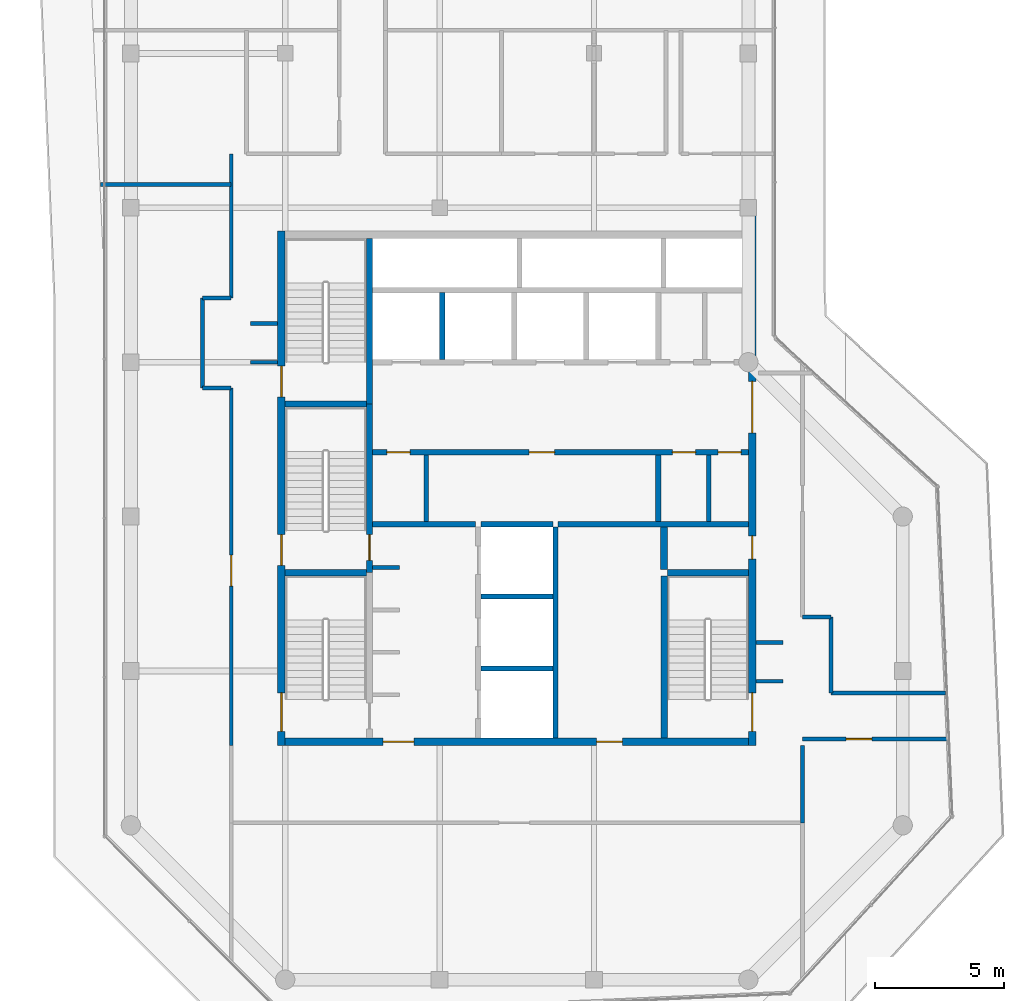
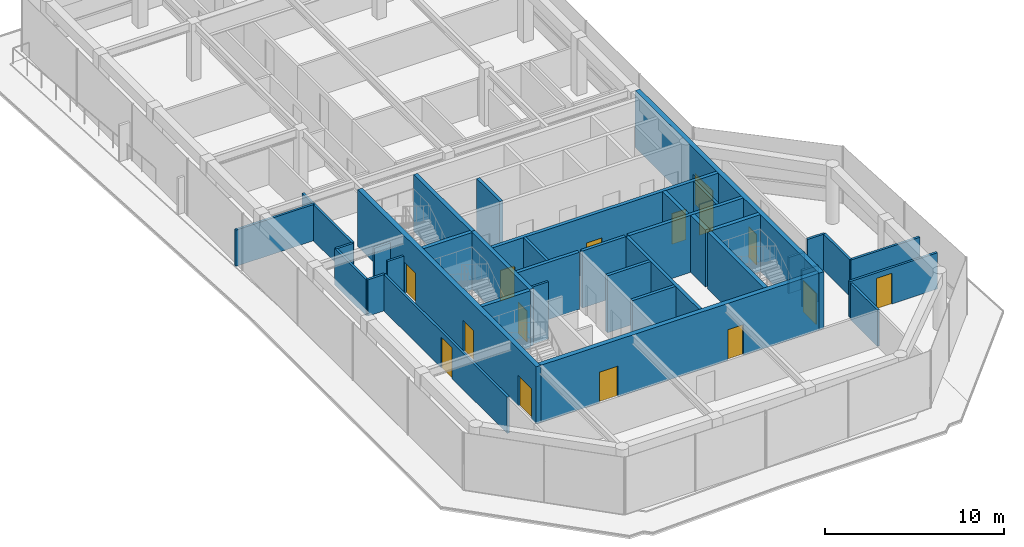
# One storey, part 15 of 19: 37 walls, 15 doors, 15 openings.
"""IFC4 building model written with IfcOpenShell, lengths in metres."""

from ifc_helpers import new_model, si_unit, direction, frame, frame_2d, origin, place, context, subcontext, project, spatial, rectangle, extrude, material, layer, layer_set, type_object, element, fill, save


model = new_model("IFC4")

# Units and contexts
model_context = context("Model", 3, precision=1e-05, world=origin(), true_north=direction((0.0, 1.0)))
body_context = subcontext(model_context, "Body", "Model", "MODEL_VIEW")
ifc_project = project(units=[si_unit("LENGTHUNIT", "METRE"), si_unit("AREAUNIT", "SQUARE_METRE"), si_unit("VOLUMEUNIT", "CUBIC_METRE"), si_unit("PLANEANGLEUNIT", "RADIAN"), si_unit("MASSUNIT", "GRAM", prefix="KILO")], contexts=[model_context])

# Site, building, storey
site_placement = place(None, origin())
site = spatial("IfcSite", under=ifc_project, at=site_placement, CompositionType="ELEMENT")
building_placement = place(site_placement, origin())
building = spatial("IfcBuilding", under=site, at=building_placement, Name="Welwitschia Terrace Campus", CompositionType="ELEMENT")
storey_placement = place(building_placement, frame((0.0, 0.0, 323.0)))
storey = spatial("IfcBuildingStorey", under=building, at=storey_placement, Name="L72", CompositionType="ELEMENT", Elevation=323.0)

# Walls
ifc_material_1 = material(Name="Concrete C32/40", Category="concrete")
ifc_layer_1 = layer(ifc_material_1, 0.175048828125)
ifc_layer_set_1 = layer_set([ifc_layer_1], Name="Concrete C32/40")
wall_type_1 = type_object("IfcWallType", Name="Core partition 175 Concrete C32/40", PredefinedType="PARTITIONING", material=ifc_layer_set_1)
for number, where, z_axis, x_axis, name in (
    (1, (11.47509765625, 13.800048828125, 0.0), (0.0, 0.0, 1.0), (0.0, 1.0, 0.0), "Core partition"),
    (2, (22.469970703125, 13.800048828125, 0.0), (0.0, 0.0, 1.0), (0.0, 1.0, 0.0), "Core partition"),
):
    element("IfcWall", number, at=place(storey_placement, frame(where, z_axis=z_axis, x_axis=x_axis)), inside=storey, type_object=wall_type_1, Name=name, PredefinedType="PARTITIONING", context=body_context, shape_type="SweptSolid", body=[
        extrude(rectangle(XDim=2.599853515625, YDim=0.175048828125, at=frame_2d((1.2998046875, 0.0))), origin(), (0.0, 0.0, 1.0), 3.89990234375),
    ])
ifc_material_2 = material(Name="Concrete C32/40", Category="concrete")
ifc_layer_2 = layer(ifc_material_2, 0.22509765625)
ifc_layer_set_2 = layer_set([ifc_layer_2], Name="Concrete C32/40")
wall_type_2 = type_object("IfcWallType", Name="Core partition 225 Concrete C32/40", PredefinedType="PARTITIONING", material=ifc_layer_set_2)
wall_1_placement = place(storey_placement, frame((9.39990234375, 13.699951171875, 0.0), z_axis=(0.0, 0.0, 1.0), x_axis=(1.0, 0.0, 0.0)))
element("IfcWall", 3, at=wall_1_placement, inside=storey, type_object=wall_type_2, Name="Core partition", PredefinedType="PARTITIONING", context=body_context, shape_type="SweptSolid", body=[
    extrude(rectangle(XDim=4.0, YDim=0.22509765625, at=frame_2d((2.0, 0.0))), origin(), (0.0, 0.0, 1.0), 3.89990234375),
])
wall_2_placement = place(storey_placement, frame((16.60009765625, 13.699951171875, 0.0), z_axis=(0.0, 0.0, 1.0), x_axis=(1.0, 0.0, 0.0)))
element("IfcWall", 4, at=wall_2_placement, inside=storey, type_object=wall_type_2, Name="Core partition", PredefinedType="PARTITIONING", context=body_context, shape_type="SweptSolid", body=[
    extrude(rectangle(XDim=7.39990234375, YDim=0.22509765625, at=frame_2d((3.699951171875, 0.0))), origin(), (0.0, 0.0, 1.0), 3.89990234375),
])

# Wall, openings, doors
wall_3_placement = place(storey_placement, frame((9.39990234375, 16.5, 0.0), z_axis=(0.0, 0.0, 1.0), x_axis=(1.0, 0.0, 0.0)))
wall_3 = element("IfcWall", 5, at=wall_3_placement, inside=storey, type_object=wall_type_2, Name="Core partition", PredefinedType="PARTITIONING", context=body_context, shape_type="SweptSolid", body=[
    extrude(rectangle(XDim=14.60009765625, YDim=0.22509765625, at=frame_2d((7.300048828125, 0.0))), origin(), (0.0, 0.0, 1.0), 3.89990234375),
])
opening_1_placement = place(wall_3_placement, frame((0.550048828125, 0.0, 0.0)))
opening_1 = element("IfcOpeningElement", 6, at=opening_1_placement, cuts=wall_3, Name="Opening DR09", PredefinedType="OPENING", context=body_context, shape_type="SweptSolid", body=[
    extrude(rectangle(XDim=0.89990234375, YDim=2.10009765625, at=frame_2d((0.449951171875, 1.050048828125))), frame((0.0, 0.12255859375, 0.0), z_axis=(0.0, -1.0, 0.0), x_axis=(1.0, 0.0, 0.0)), (0.0, 0.0, 1.0), 0.2451171875),
])
opening_2_placement = place(wall_3_placement, frame((6.074951171875, 0.0, 0.0)))
opening_2 = element("IfcOpeningElement", 7, at=opening_2_placement, cuts=wall_3, Name="Opening DR10", PredefinedType="OPENING", context=body_context, shape_type="SweptSolid", body=[
    extrude(rectangle(XDim=1.0, YDim=2.10009765625, at=frame_2d((0.5, 1.050048828125))), frame((0.0, 0.12255859375, 0.0), z_axis=(0.0, -1.0, 0.0), x_axis=(1.0, 0.0, 0.0)), (0.0, 0.0, 1.0), 0.2451171875),
])
opening_3_placement = place(wall_3_placement, frame((11.6474609375, 0.0, 0.0)))
opening_3 = element("IfcOpeningElement", 8, at=opening_3_placement, cuts=wall_3, Name="Opening DR09", PredefinedType="OPENING", context=body_context, shape_type="SweptSolid", body=[
    extrude(rectangle(XDim=0.89990234375, YDim=2.10009765625, at=frame_2d((0.449951171875, 1.050048828125))), frame((0.0, 0.12255859375, 0.0), z_axis=(0.0, -1.0, 0.0), x_axis=(1.0, 0.0, 0.0)), (0.0, 0.0, 1.0), 0.2451171875),
])
opening_4_placement = place(wall_3_placement, frame((13.422607421875, 0.0, 0.0)))
opening_4 = element("IfcOpeningElement", 9, at=opening_4_placement, cuts=wall_3, Name="Opening DR09", PredefinedType="OPENING", context=body_context, shape_type="SweptSolid", body=[
    extrude(rectangle(XDim=0.89990234375, YDim=2.10009765625, at=frame_2d((0.449951171875, 1.050048828125))), frame((0.0, 0.12255859375, 0.0), z_axis=(0.0, -1.0, 0.0), x_axis=(1.0, 0.0, 0.0)), (0.0, 0.0, 1.0), 0.2451171875),
])
ifc_material_3 = material(Name="Steel S275", Category="steel")
door_type_1 = type_object("IfcDoorType", Name="Core door DR09", OperationType="SINGLE_SWING_LEFT", PredefinedType="DOOR", material=ifc_material_3)
door_1_placement = place(opening_1_placement, origin())
door_1 = element("IfcDoor", 10, at=door_1_placement, inside=storey, type_object=door_type_1, Name="Door BAYL1-D", OperationType="SINGLE_SWING_LEFT", OverallHeight=2.10009765625, OverallWidth=0.89990234375, PredefinedType="DOOR", context=body_context, shape_type="SweptSolid", body=[
    extrude(rectangle(XDim=0.89990234375, YDim=2.10009765625, at=frame_2d((0.449951171875, 1.050048828125))), frame((0.0, 0.02490234375, 0.0), z_axis=(0.0, -1.0, 0.0), x_axis=(1.0, 0.0, 0.0)), (0.0, 0.0, 1.0), 0.050048828125),
])
fill(opening_1, door_1)
door_2_placement = place(opening_3_placement, origin())
door_2 = element("IfcDoor", 11, at=door_2_placement, inside=storey, type_object=door_type_1, Name="Door EL1-D", OperationType="SINGLE_SWING_RIGHT", OverallHeight=2.10009765625, OverallWidth=0.89990234375, PredefinedType="DOOR", context=body_context, shape_type="SweptSolid", body=[
    extrude(rectangle(XDim=0.89990234375, YDim=2.10009765625, at=frame_2d((0.449951171875, 1.050048828125))), frame((0.0, 0.02490234375, 0.0), z_axis=(0.0, -1.0, 0.0), x_axis=(1.0, 0.0, 0.0)), (0.0, 0.0, 1.0), 0.050048828125),
])
fill(opening_3, door_2)
door_3_placement = place(opening_4_placement, origin())
door_3 = element("IfcDoor", 12, at=door_3_placement, inside=storey, type_object=door_type_1, Name="Door EL2-D", OperationType="SINGLE_SWING_RIGHT", OverallHeight=2.10009765625, OverallWidth=0.89990234375, PredefinedType="DOOR", context=body_context, shape_type="SweptSolid", body=[
    extrude(rectangle(XDim=0.89990234375, YDim=2.10009765625, at=frame_2d((0.449951171875, 1.050048828125))), frame((0.0, 0.02490234375, 0.0), z_axis=(0.0, -1.0, 0.0), x_axis=(1.0, 0.0, 0.0)), (0.0, 0.0, 1.0), 0.050048828125),
])
fill(opening_4, door_3)
ifc_material_4 = material(Name="Steel S275", Category="steel")
door_type_2 = type_object("IfcDoorType", Name="Core door DR10", OperationType="SINGLE_SWING_LEFT", PredefinedType="DOOR", material=ifc_material_4)
door_4_placement = place(opening_2_placement, origin())
door_4 = element("IfcDoor", 13, at=door_4_placement, inside=storey, type_object=door_type_2, Name="Door BAYL2-D", OperationType="SINGLE_SWING_LEFT", OverallHeight=2.10009765625, OverallWidth=1.0, PredefinedType="DOOR", context=body_context, shape_type="SweptSolid", body=[
    extrude(rectangle(XDim=1.0, YDim=2.10009765625, at=frame_2d((0.5, 1.050048828125))), frame((0.0, 0.02490234375, 0.0), z_axis=(0.0, -1.0, 0.0), x_axis=(1.0, 0.0, 0.0)), (0.0, 0.0, 1.0), 0.050048828125),
])
fill(opening_2, door_4)

# Walls
wall_4_placement = place(storey_placement, frame((20.5, 13.800048828125, 0.0), z_axis=(0.0, 0.0, 1.0), x_axis=(0.0, 1.0, 0.0)))
element("IfcWall", 14, at=wall_4_placement, inside=storey, type_object=wall_type_2, Name="Core partition", PredefinedType="PARTITIONING", context=body_context, shape_type="SweptSolid", body=[
    extrude(rectangle(XDim=2.599853515625, YDim=0.22509765625, at=frame_2d((1.2998046875, 0.0))), origin(), (0.0, 0.0, 1.0), 3.89990234375),
])
ifc_material_5 = material(Name="Concrete C32/40", Category="concrete")
ifc_layer_3 = layer(ifc_material_5, 0.27490234375)
ifc_layer_set_3 = layer_set([ifc_layer_3], Name="Concrete C32/40")
wall_type_3 = type_object("IfcWallType", Name="Core partition 275 Concrete C32/40", PredefinedType="PARTITIONING", material=ifc_layer_set_3)
wall_5_placement = place(storey_placement, frame((20.72509765625, 11.949951171875, 0.0), z_axis=(0.0, 0.0, 1.0), x_axis=(0.0, 1.0, 0.0)))
element("IfcWall", 15, at=wall_5_placement, inside=storey, type_object=wall_type_3, Name="Core partition", PredefinedType="PARTITIONING", context=body_context, shape_type="SweptSolid", body=[
    extrude(rectangle(XDim=1.650146484375, YDim=0.27490234375, at=frame_2d((0.8251953125, 0.0))), origin(), (0.0, 0.0, 1.0), 3.89990234375),
])
ifc_material_6 = material(Name="Concrete C50/60", Category="concrete")
ifc_layer_4 = layer(ifc_material_6, 0.14990234375)
ifc_layer_set_4 = layer_set([ifc_layer_4], Name="Concrete C50/60")
wall_type_4 = type_object("IfcWallType", Name="Core wall 150 Concrete C50/60", PredefinedType="SHEAR", material=ifc_layer_set_4)
wall_6_placement = place(storey_placement, frame((9.39990234375, 12.02490234375, 0.0), z_axis=(0.0, 0.0, 1.0), x_axis=(1.0, 0.0, 0.0)))
element("IfcWall", 16, at=wall_6_placement, inside=storey, type_object=wall_type_4, Name="Core wall", PredefinedType="SHEAR", context=body_context, shape_type="SweptSolid", body=[
    extrude(rectangle(XDim=1.050048828125, YDim=0.14990234375, at=frame_2d((0.52490234375, 0.0))), origin(), (0.0, 0.0, 1.0), 3.89990234375),
])
ifc_material_7 = material(Name="Concrete C50/60", Category="concrete")
ifc_layer_5 = layer(ifc_material_7, 0.199951171875)
ifc_layer_set_5 = layer_set([ifc_layer_5], Name="Concrete C50/60")
wall_type_5 = type_object("IfcWallType", Name="Core wall 200 Concrete C50/60", PredefinedType="SHEAR", material=ifc_layer_set_5)
for number, where, z_axis, x_axis, name in (
    (17, (13.60009765625, 8.10009765625, 0.0), (0.0, 0.0, 1.0), (1.0, 0.0, 0.0), "Core wall"),
    (18, (13.60009765625, 10.89990234375, 0.0), (0.0, 0.0, 1.0), (1.0, 0.0, 0.0), "Core wall"),
    (19, (13.60009765625, 13.699951171875, 0.0), (0.0, 0.0, 1.0), (1.0, 0.0, 0.0), "Core wall"),
):
    element("IfcWall", number, at=place(storey_placement, frame(where, z_axis=z_axis, x_axis=x_axis)), inside=storey, type_object=wall_type_5, Name=name, PredefinedType="SHEAR", context=body_context, shape_type="SweptSolid", body=[
        extrude(rectangle(XDim=2.7998046875, YDim=0.199951171875, at=frame_2d((1.39990234375, 0.0))), origin(), (0.0, 0.0, 1.0), 3.89990234375),
    ])
wall_7_placement = place(storey_placement, frame((16.5, 5.39990234375, 0.0), z_axis=(0.0, 0.0, 1.0), x_axis=(0.0, 1.0, 0.0)))
element("IfcWall", 20, at=wall_7_placement, inside=storey, type_object=wall_type_5, Name="Core wall", PredefinedType="SHEAR", context=body_context, shape_type="SweptSolid", body=[
    extrude(rectangle(XDim=8.2001953125, YDim=0.199951171875, at=frame_2d((4.10009765625, 0.0))), origin(), (0.0, 0.0, 1.0), 3.89990234375),
])
ifc_material_8 = material(Name="Concrete C50/60", Category="concrete")
ifc_layer_6 = layer(ifc_material_8, 0.25)
ifc_layer_set_6 = layer_set([ifc_layer_6], Name="Concrete C50/60")
wall_type_6 = type_object("IfcWallType", Name="Core wall 250 Concrete C50/60", PredefinedType="SHEAR", material=ifc_layer_set_6)
for number, where, z_axis, x_axis, name in (
    (21, (6.0, 11.824951171875, 0.0), (0.0, 0.0, 1.0), (1.0, 0.0, 0.0), "Core wall"),
    (22, (20.85009765625, 11.824951171875, 0.0), (0.0, 0.0, 1.0), (1.0, 0.0, 0.0), "Core wall"),
    (23, (6.0, 18.375, 0.0), (0.0, 0.0, 1.0), (1.0, 0.0, 0.0), "Core wall"),
):
    element("IfcWall", number, at=place(storey_placement, frame(where, z_axis=z_axis, x_axis=x_axis)), inside=storey, type_object=wall_type_6, Name=name, PredefinedType="SHEAR", context=body_context, shape_type="SweptSolid", body=[
        extrude(rectangle(XDim=3.14990234375, YDim=0.25, at=frame_2d((1.574951171875, 0.0))), origin(), (0.0, 0.0, 1.0), 3.89990234375),
    ])

# Wall, opening, door
wall_8_placement = place(storey_placement, frame((9.27490234375, 18.375, 0.0), z_axis=(0.0, 0.0, 1.0), x_axis=(0.0, -1.0, 0.0)))
wall_8 = element("IfcWall", 24, at=wall_8_placement, inside=storey, type_object=wall_type_6, Name="Core wall", PredefinedType="SHEAR", context=body_context, shape_type="SweptSolid", body=[
    extrude(rectangle(XDim=6.550048828125, YDim=0.25, at=frame_2d((3.27490234375, 0.0))), origin(), (0.0, 0.0, 1.0), 3.89990234375),
])
opening_5_placement = place(wall_8_placement, frame((5.074951171875, 0.0, 0.0)))
opening_5 = element("IfcOpeningElement", 25, at=opening_5_placement, cuts=wall_8, Name="Opening DS10", PredefinedType="OPENING", context=body_context, shape_type="SweptSolid", body=[
    extrude(rectangle(XDim=1.0, YDim=2.10009765625, at=frame_2d((0.5, 1.050048828125))), frame((0.0, 0.135009765625, 0.0), z_axis=(0.0, -1.0, 0.0), x_axis=(1.0, 0.0, 0.0)), (0.0, 0.0, 1.0), 0.27001953125),
])
ifc_material_9 = material(Name="Steel S275", Category="steel")
door_type_3 = type_object("IfcDoorType", Name="Core door DS10", OperationType="SINGLE_SWING_LEFT", PredefinedType="DOOR", material=ifc_material_9)
door_5_placement = place(opening_5_placement, origin())
door_5 = element("IfcDoor", 26, at=door_5_placement, inside=storey, type_object=door_type_3, Name="Door S3-FL", OperationType="SINGLE_SWING_RIGHT", OverallHeight=2.10009765625, OverallWidth=1.0, PredefinedType="DOOR", context=body_context, shape_type="SweptSolid", body=[
    extrude(rectangle(XDim=1.0, YDim=2.10009765625, at=frame_2d((0.5, 1.050048828125))), frame((0.0, 0.02490234375, 0.0), z_axis=(0.0, -1.0, 0.0), x_axis=(1.0, 0.0, 0.0)), (0.0, 0.0, 1.0), 0.050048828125),
])
fill(opening_5, door_5)

# Walls
wall_9_placement = place(storey_placement, frame((9.27490234375, 18.375, 0.0), z_axis=(0.0, 0.0, 1.0), x_axis=(0.0, 1.0, 0.0)))
element("IfcWall", 27, at=wall_9_placement, inside=storey, type_object=wall_type_6, Name="Core wall", PredefinedType="SHEAR", context=body_context, shape_type="SweptSolid", body=[
    extrude(rectangle(XDim=6.425048828125, YDim=0.25, at=frame_2d((3.21240234375, 0.0))), origin(), (0.0, 0.0, 1.0), 3.89990234375),
])
wall_10_placement = place(storey_placement, frame((20.72509765625, 5.39990234375, 0.0), z_axis=(0.0, 0.0, 1.0), x_axis=(0.0, 1.0, 0.0)))
element("IfcWall", 28, at=wall_10_placement, inside=storey, type_object=wall_type_6, Name="Core wall", PredefinedType="SHEAR", context=body_context, shape_type="SweptSolid", body=[
    extrude(rectangle(XDim=6.300048828125, YDim=0.25, at=frame_2d((3.14990234375, 0.0))), origin(), (0.0, 0.0, 1.0), 3.89990234375),
])

# Wall, openings, doors
ifc_material_10 = material(Name="Concrete C50/60", Category="concrete")
ifc_layer_7 = layer(ifc_material_10, 0.300048828125)
ifc_layer_set_7 = layer_set([ifc_layer_7], Name="Concrete C50/60")
wall_type_7 = type_object("IfcWallType", Name="Core wall 300 Concrete C50/60", PredefinedType="SHEAR", material=ifc_layer_set_7)
wall_11_placement = place(storey_placement, frame((5.85009765625, 5.10009765625, 0.0), z_axis=(0.0, 0.0, 1.0), x_axis=(0.0, 1.0, 0.0)))
wall_11 = element("IfcWall", 29, at=wall_11_placement, inside=storey, type_object=wall_type_7, Name="Core outer wall", PredefinedType="SHEAR", context=body_context, shape_type="SweptSolid", body=[
    extrude(rectangle(XDim=20.0, YDim=0.300048828125, at=frame_2d((10.0, 0.0))), origin(), (0.0, 0.0, 1.0), 3.89990234375),
])
opening_6_placement = place(wall_11_placement, frame((0.550048828125, 0.0, 0.0)))
opening_6 = element("IfcOpeningElement", 30, at=opening_6_placement, cuts=wall_11, Name="Opening DS15", PredefinedType="OPENING", context=body_context, shape_type="SweptSolid", body=[
    extrude(rectangle(XDim=1.5, YDim=2.10009765625, at=frame_2d((0.75, 1.050048828125))), frame((0.0, 0.159912109375, 0.0), z_axis=(0.0, -1.0, 0.0), x_axis=(1.0, 0.0, 0.0)), (0.0, 0.0, 1.0), 0.320068359375),
])
opening_7_placement = place(wall_11_placement, frame((7.0, 0.0, 0.0)))
opening_7 = element("IfcOpeningElement", 31, at=opening_7_placement, cuts=wall_11, Name="Opening DS12", PredefinedType="OPENING", context=body_context, shape_type="SweptSolid", body=[
    extrude(rectangle(XDim=1.199951171875, YDim=2.10009765625, at=frame_2d((0.60009765625, 1.050048828125))), frame((0.0, 0.159912109375, 0.0), z_axis=(0.0, -1.0, 0.0), x_axis=(1.0, 0.0, 0.0)), (0.0, 0.0, 1.0), 0.320068359375),
])
opening_8_placement = place(wall_11_placement, frame((13.550048828125, 0.0, 0.0)))
opening_8 = element("IfcOpeningElement", 32, at=opening_8_placement, cuts=wall_11, Name="Opening DS12", PredefinedType="OPENING", context=body_context, shape_type="SweptSolid", body=[
    extrude(rectangle(XDim=1.199951171875, YDim=2.10009765625, at=frame_2d((0.60009765625, 1.050048828125))), frame((0.0, 0.159912109375, 0.0), z_axis=(0.0, -1.0, 0.0), x_axis=(1.0, 0.0, 0.0)), (0.0, 0.0, 1.0), 0.320068359375),
])
ifc_material_11 = material(Name="Steel S275", Category="steel")
door_type_4 = type_object("IfcDoorType", Name="Core door DS12", OperationType="SINGLE_SWING_LEFT", PredefinedType="DOOR", material=ifc_material_11)
door_6_placement = place(opening_7_placement, origin())
door_6 = element("IfcDoor", 33, at=door_6_placement, inside=storey, type_object=door_type_4, Name="Door S3-out", OperationType="SINGLE_SWING_LEFT", OverallHeight=2.10009765625, OverallWidth=1.199951171875, PredefinedType="DOOR", context=body_context, shape_type="SweptSolid", body=[
    extrude(rectangle(XDim=1.199951171875, YDim=2.10009765625, at=frame_2d((0.60009765625, 1.050048828125))), frame((0.0, 0.02490234375, 0.0), z_axis=(0.0, -1.0, 0.0), x_axis=(1.0, 0.0, 0.0)), (0.0, 0.0, 1.0), 0.050048828125),
])
fill(opening_7, door_6)
door_7_placement = place(opening_8_placement, origin())
door_7 = element("IfcDoor", 34, at=door_7_placement, inside=storey, type_object=door_type_4, Name="Door S4-out", OperationType="SINGLE_SWING_RIGHT", OverallHeight=2.10009765625, OverallWidth=1.199951171875, PredefinedType="DOOR", context=body_context, shape_type="SweptSolid", body=[
    extrude(rectangle(XDim=1.199951171875, YDim=2.10009765625, at=frame_2d((0.60009765625, 1.050048828125))), frame((0.0, 0.02490234375, 0.0), z_axis=(0.0, -1.0, 0.0), x_axis=(1.0, 0.0, 0.0)), (0.0, 0.0, 1.0), 0.050048828125),
])
fill(opening_8, door_7)
ifc_material_12 = material(Name="Steel S275", Category="steel")
door_type_5 = type_object("IfcDoorType", Name="Core door DS15", OperationType="DOUBLE_DOOR_SINGLE_SWING", PredefinedType="DOOR", material=ifc_material_12)
door_8_placement = place(opening_6_placement, origin())
door_8 = element("IfcDoor", 35, at=door_8_placement, inside=storey, type_object=door_type_5, Name="Door S1-out", OperationType="DOUBLE_DOOR_SINGLE_SWING", OverallHeight=2.10009765625, OverallWidth=1.5, PredefinedType="DOOR", context=body_context, shape_type="SweptSolid", body=[
    extrude(rectangle(XDim=1.5, YDim=2.10009765625, at=frame_2d((0.75, 1.050048828125))), frame((0.0, 0.02490234375, 0.0), z_axis=(0.0, -1.0, 0.0), x_axis=(1.0, 0.0, 0.0)), (0.0, 0.0, 1.0), 0.050048828125),
])
fill(opening_6, door_8)

wall_12_placement = place(storey_placement, frame((24.14990234375, 25.705078125, 0.0), z_axis=(0.0, 0.0, 1.0), x_axis=(0.0, -1.0, 0.0)))
wall_12 = element("IfcWall", 36, at=wall_12_placement, inside=storey, type_object=wall_type_7, Name="Core outer wall", PredefinedType="SHEAR", context=body_context, shape_type="SweptSolid", body=[
    extrude(rectangle(XDim=20.60498046875, YDim=0.300048828125, at=frame_2d((10.302490234375, 0.0))), origin(), (0.0, 0.0, 1.0), 3.89990234375),
])
opening_9_placement = place(wall_12_placement, frame((18.554931640625, 0.0, 0.0)))
opening_9 = element("IfcOpeningElement", 37, at=opening_9_placement, cuts=wall_12, Name="Opening DS15", PredefinedType="OPENING", context=body_context, shape_type="SweptSolid", body=[
    extrude(rectangle(XDim=1.5, YDim=2.10009765625, at=frame_2d((0.75, 1.050048828125))), frame((0.0, 0.159912109375, 0.0), z_axis=(0.0, -1.0, 0.0), x_axis=(1.0, 0.0, 0.0)), (0.0, 0.0, 1.0), 0.320068359375),
])
opening_10_placement = place(wall_12_placement, frame((12.455078125, 0.0, 0.0)))
opening_10 = element("IfcOpeningElement", 38, at=opening_10_placement, cuts=wall_12, Name="Opening DR09", PredefinedType="OPENING", context=body_context, shape_type="SweptSolid", body=[
    extrude(rectangle(XDim=0.89990234375, YDim=2.10009765625, at=frame_2d((0.449951171875, 1.050048828125))), frame((0.0, 0.159912109375, 0.0), z_axis=(0.0, -1.0, 0.0), x_axis=(1.0, 0.0, 0.0)), (0.0, 0.0, 1.0), 0.320068359375),
])
opening_11_placement = place(wall_12_placement, frame((6.455078125, 0.0, 0.0)))
opening_11 = element("IfcOpeningElement", 39, at=opening_11_placement, cuts=wall_12, Name="Opening DL20", PredefinedType="OPENING", context=body_context, shape_type="SweptSolid", body=[
    extrude(rectangle(XDim=2.0, YDim=2.10009765625, at=frame_2d((1.0, 1.050048828125))), frame((0.0, 0.159912109375, 0.0), z_axis=(0.0, -1.0, 0.0), x_axis=(1.0, 0.0, 0.0)), (0.0, 0.0, 1.0), 0.320068359375),
])
ifc_material_13 = material(Name="Steel S275", Category="steel")
door_type_6 = type_object("IfcDoorType", Name="Core door DL20", OperationType="DOUBLE_DOOR_SINGLE_SWING", PredefinedType="DOOR", material=ifc_material_13)
door_9_placement = place(opening_11_placement, origin())
door_9 = element("IfcDoor", 40, at=door_9_placement, inside=storey, type_object=door_type_6, Name="Door LOBBY-out", OperationType="DOUBLE_DOOR_SINGLE_SWING", OverallHeight=2.10009765625, OverallWidth=2.0, PredefinedType="DOOR", context=body_context, shape_type="SweptSolid", body=[
    extrude(rectangle(XDim=2.0, YDim=2.10009765625, at=frame_2d((1.0, 1.050048828125))), frame((0.0, 0.02490234375, 0.0), z_axis=(0.0, -1.0, 0.0), x_axis=(1.0, 0.0, 0.0)), (0.0, 0.0, 1.0), 0.050048828125),
])
fill(opening_11, door_9)
door_10_placement = place(opening_10_placement, origin())
door_10 = element("IfcDoor", 41, at=door_10_placement, inside=storey, type_object=door_type_1, Name="Door F1B-out", OperationType="SINGLE_SWING_RIGHT", OverallHeight=2.10009765625, OverallWidth=0.89990234375, PredefinedType="DOOR", context=body_context, shape_type="SweptSolid", body=[
    extrude(rectangle(XDim=0.89990234375, YDim=2.10009765625, at=frame_2d((0.449951171875, 1.050048828125))), frame((0.0, 0.02490234375, 0.0), z_axis=(0.0, -1.0, 0.0), x_axis=(1.0, 0.0, 0.0)), (0.0, 0.0, 1.0), 0.050048828125),
])
fill(opening_10, door_10)
door_11_placement = place(opening_9_placement, origin())
door_11 = element("IfcDoor", 42, at=door_11_placement, inside=storey, type_object=door_type_5, Name="Door S2-out", OperationType="DOUBLE_DOOR_SINGLE_SWING", OverallHeight=2.10009765625, OverallWidth=1.5, PredefinedType="DOOR", context=body_context, shape_type="SweptSolid", body=[
    extrude(rectangle(XDim=1.5, YDim=2.10009765625, at=frame_2d((0.75, 1.050048828125))), frame((0.0, 0.02490234375, 0.0), z_axis=(0.0, -1.0, 0.0), x_axis=(1.0, 0.0, 0.0)), (0.0, 0.0, 1.0), 0.050048828125),
])
fill(opening_9, door_11)

wall_13_placement = place(storey_placement, frame((24.0, 5.25, 0.0), z_axis=(0.0, 0.0, 1.0), x_axis=(-1.0, 0.0, 0.0)))
wall_13 = element("IfcWall", 43, at=wall_13_placement, inside=storey, type_object=wall_type_7, Name="Core outer wall", PredefinedType="SHEAR", context=body_context, shape_type="SweptSolid", body=[
    extrude(rectangle(XDim=18.0, YDim=0.300048828125, at=frame_2d((9.0, 0.0))), origin(), (0.0, 0.0, 1.0), 3.89990234375),
])
opening_12_placement = place(wall_13_placement, frame((13.0, 0.0, 0.0)))
opening_12 = element("IfcOpeningElement", 44, at=opening_12_placement, cuts=wall_13, Name="Opening DF12", PredefinedType="OPENING", context=body_context, shape_type="SweptSolid", body=[
    extrude(rectangle(XDim=1.199951171875, YDim=2.10009765625, at=frame_2d((0.60009765625, 1.050048828125))), frame((0.0, 0.159912109375, 0.0), z_axis=(0.0, -1.0, 0.0), x_axis=(1.0, 0.0, 0.0)), (0.0, 0.0, 1.0), 0.320068359375),
])
opening_13_placement = place(wall_13_placement, frame((4.89990234375, 0.0, 0.0)))
opening_13 = element("IfcOpeningElement", 45, at=opening_13_placement, cuts=wall_13, Name="Opening DR10", PredefinedType="OPENING", context=body_context, shape_type="SweptSolid", body=[
    extrude(rectangle(XDim=1.0, YDim=2.10009765625, at=frame_2d((0.5, 1.050048828125))), frame((0.0, 0.159912109375, 0.0), z_axis=(0.0, -1.0, 0.0), x_axis=(1.0, 0.0, 0.0)), (0.0, 0.0, 1.0), 0.320068359375),
])
ifc_material_14 = material(Name="Steel S275", Category="steel")
door_type_7 = type_object("IfcDoorType", Name="Core door DF12", OperationType="SINGLE_SWING_LEFT", PredefinedType="DOOR", material=ifc_material_14)
door_12_placement = place(opening_12_placement, origin())
door_12 = element("IfcDoor", 46, at=door_12_placement, inside=storey, type_object=door_type_7, Name="Door FL-out", OperationType="SINGLE_SWING_RIGHT", OverallHeight=2.10009765625, OverallWidth=1.199951171875, PredefinedType="DOOR", context=body_context, shape_type="SweptSolid", body=[
    extrude(rectangle(XDim=1.199951171875, YDim=2.10009765625, at=frame_2d((0.60009765625, 1.050048828125))), frame((0.0, 0.02490234375, 0.0), z_axis=(0.0, -1.0, 0.0), x_axis=(1.0, 0.0, 0.0)), (0.0, 0.0, 1.0), 0.050048828125),
])
fill(opening_12, door_12)
door_13_placement = place(opening_13_placement, origin())
door_13 = element("IfcDoor", 47, at=door_13_placement, inside=storey, type_object=door_type_2, Name="Door F1-out", OperationType="SINGLE_SWING_LEFT", OverallHeight=2.10009765625, OverallWidth=1.0, PredefinedType="DOOR", context=body_context, shape_type="SweptSolid", body=[
    extrude(rectangle(XDim=1.0, YDim=2.10009765625, at=frame_2d((0.5, 1.050048828125))), frame((0.0, 0.02490234375, 0.0), z_axis=(0.0, -1.0, 0.0), x_axis=(1.0, 0.0, 0.0)), (0.0, 0.0, 1.0), 0.050048828125),
])
fill(opening_13, door_13)

# Walls
ifc_material_15 = material(Name="Gypsum board on steel studs", Category="steel")
ifc_layer_8 = layer(ifc_material_15, 0.14990234375)
ifc_layer_set_8 = layer_set([ifc_layer_8], Name="Gypsum board on steel studs")
wall_type_8 = type_object("IfcWallType", Name="Corridor partition 150 EI 30", PredefinedType="PARTITIONING", material=ifc_layer_set_8)
wall_14_placement = place(storey_placement, frame((-1.179931640625, 26.89990234375, 0.0), z_axis=(0.0, 0.0, 1.0), x_axis=(1.0, 0.0, 0.0)))
element("IfcWall", 48, at=wall_14_placement, inside=storey, type_object=wall_type_8, Name="Partition", PredefinedType="PARTITIONING", context=body_context, shape_type="SweptSolid", body=[
    extrude(rectangle(XDim=5.079833984375, YDim=0.14990234375, at=frame_2d((2.5400390625, 0.0))), origin(), (0.0, 0.0, 1.0), 2.47998046875),
])
wall_15_placement = place(storey_placement, frame((2.7900390625, 19.0, 0.0), z_axis=(0.0, 0.0, 1.0), x_axis=(0.0, 1.0, 0.0)))
element("IfcWall", 49, at=wall_15_placement, inside=storey, type_object=wall_type_8, Name="Partition", PredefinedType="PARTITIONING", context=body_context, shape_type="SweptSolid", body=[
    extrude(rectangle(XDim=3.5, YDim=0.14990234375, at=frame_2d((1.75, 0.0))), origin(), (0.0, 0.0, 1.0), 2.47998046875),
])
for number, where, z_axis, x_axis, name in (
    (50, (2.7900390625, 19.0, 0.0), (0.0, 0.0, 1.0), (1.0, 0.0, 0.0), "Partition"),
    (51, (2.7900390625, 22.5, 0.0), (0.0, 0.0, 1.0), (1.0, 0.0, 0.0), "Partition"),
):
    element("IfcWall", number, at=place(storey_placement, frame(where, z_axis=z_axis, x_axis=x_axis)), inside=storey, type_object=wall_type_8, Name=name, PredefinedType="PARTITIONING", context=body_context, shape_type="SweptSolid", body=[
        extrude(rectangle(XDim=1.10986328125, YDim=0.14990234375, at=frame_2d((0.554931640625, 0.0))), origin(), (0.0, 0.0, 1.0), 2.47998046875),
    ])

# Wall, opening, door
wall_16_placement = place(storey_placement, frame((3.89990234375, 5.10009765625, 0.0), z_axis=(0.0, 0.0, 1.0), x_axis=(0.0, 1.0, 0.0)))
wall_16 = element("IfcWall", 52, at=wall_16_placement, inside=storey, type_object=wall_type_8, Name="Partition", PredefinedType="PARTITIONING", context=body_context, shape_type="SweptSolid", body=[
    extrude(rectangle(XDim=13.89990234375, YDim=0.14990234375, at=frame_2d((6.949951171875, 0.0))), origin(), (0.0, 0.0, 1.0), 2.47998046875),
])
opening_14_placement = place(wall_16_placement, frame((6.199951171875, 0.0, 0.0)))
opening_14 = element("IfcOpeningElement", 53, at=opening_14_placement, cuts=wall_16, Name="Opening DI12", PredefinedType="OPENING", context=body_context, shape_type="SweptSolid", body=[
    extrude(rectangle(XDim=1.199951171875, YDim=2.10009765625, at=frame_2d((0.60009765625, 1.050048828125))), frame((0.0, 0.0849609375, 0.0), z_axis=(0.0, -1.0, 0.0), x_axis=(1.0, 0.0, 0.0)), (0.0, 0.0, 1.0), 0.169921875),
])
ifc_material_16 = material(Name="Timber veneered door", Category="wood")
door_type_8 = type_object("IfcDoorType", Name="Interior door DI12", OperationType="NOTDEFINED", PredefinedType="DOOR", material=ifc_material_16)
door_14_placement = place(opening_14_placement, origin())
door_14 = element("IfcDoor", 54, at=door_14_placement, inside=storey, type_object=door_type_8, Name="Door L72 1255", OperationType="SINGLE_SWING_RIGHT", OverallHeight=2.10009765625, OverallWidth=1.199951171875, PredefinedType="DOOR", context=body_context, shape_type="SweptSolid", body=[
    extrude(rectangle(XDim=1.199951171875, YDim=2.10009765625, at=frame_2d((0.60009765625, 1.050048828125))), frame((0.0, 0.02490234375, 0.0), z_axis=(0.0, -1.0, 0.0), x_axis=(1.0, 0.0, 0.0)), (0.0, 0.0, 1.0), 0.050048828125),
])
fill(opening_14, door_14)

# Walls
wall_17_placement = place(storey_placement, frame((3.89990234375, 22.5, 0.0), z_axis=(0.0, 0.0, 1.0), x_axis=(0.0, 1.0, 0.0)))
element("IfcWall", 55, at=wall_17_placement, inside=storey, type_object=wall_type_8, Name="Partition", PredefinedType="PARTITIONING", context=body_context, shape_type="SweptSolid", body=[
    extrude(rectangle(XDim=5.60009765625, YDim=0.14990234375, at=frame_2d((2.800048828125, 0.0))), origin(), (0.0, 0.0, 1.0), 2.47998046875),
])
for number, where, z_axis, x_axis, name in (
    (56, (4.64990234375, 20.0, 0.0), (0.0, 0.0, 1.0), (1.0, 0.0, 0.0), "Partition"),
    (57, (4.64990234375, 21.5, 0.0), (0.0, 0.0, 1.0), (1.0, 0.0, 0.0), "Partition"),
    (58, (24.300048828125, 7.60009765625, 0.0), (0.0, 0.0, 1.0), (1.0, 0.0, 0.0), "Partition"),
    (59, (24.300048828125, 9.10009765625, 0.0), (0.0, 0.0, 1.0), (1.0, 0.0, 0.0), "Partition"),
):
    element("IfcWall", number, at=place(storey_placement, frame(where, z_axis=z_axis, x_axis=x_axis)), inside=storey, type_object=wall_type_8, Name=name, PredefinedType="PARTITIONING", context=body_context, shape_type="SweptSolid", body=[
        extrude(rectangle(XDim=1.050048828125, YDim=0.14990234375, at=frame_2d((0.52490234375, 0.0))), origin(), (0.0, 0.0, 1.0), 2.47998046875),
    ])
wall_18_placement = place(storey_placement, frame((26.10009765625, 2.10009765625, 0.0), z_axis=(0.0, 0.0, 1.0), x_axis=(0.0, 1.0, 0.0)))
element("IfcWall", 60, at=wall_18_placement, inside=storey, type_object=wall_type_8, Name="Partition", PredefinedType="PARTITIONING", context=body_context, shape_type="SweptSolid", body=[
    extrude(rectangle(XDim=3.0, YDim=0.14990234375, at=frame_2d((1.5, 0.0))), origin(), (0.0, 0.0, 1.0), 2.47998046875),
])
wall_19_placement = place(storey_placement, frame((26.10009765625, 10.10009765625, 0.0), z_axis=(0.0, 0.0, 1.0), x_axis=(1.0, 0.0, 0.0)))
element("IfcWall", 61, at=wall_19_placement, inside=storey, type_object=wall_type_8, Name="Partition", PredefinedType="PARTITIONING", context=body_context, shape_type="SweptSolid", body=[
    extrude(rectangle(XDim=1.10986328125, YDim=0.14990234375, at=frame_2d((0.554931640625, 0.0))), origin(), (0.0, 0.0, 1.0), 2.47998046875),
])
wall_20_placement = place(storey_placement, frame((27.2099609375, 7.14990234375, 0.0), z_axis=(0.0, 0.0, 1.0), x_axis=(0.0, 1.0, 0.0)))
element("IfcWall", 62, at=wall_20_placement, inside=storey, type_object=wall_type_8, Name="Partition", PredefinedType="PARTITIONING", context=body_context, shape_type="SweptSolid", body=[
    extrude(rectangle(XDim=2.9501953125, YDim=0.14990234375, at=frame_2d((1.47509765625, 0.0))), origin(), (0.0, 0.0, 1.0), 2.47998046875),
])
wall_21_placement = place(storey_placement, frame((27.2099609375, 7.14990234375, 0.0), z_axis=(0.0, 0.0, 1.0), x_axis=(1.0, 0.0, 0.0)))
element("IfcWall", 63, at=wall_21_placement, inside=storey, type_object=wall_type_8, Name="Partition", PredefinedType="PARTITIONING", context=body_context, shape_type="SweptSolid", body=[
    extrude(rectangle(XDim=4.4599609375, YDim=0.14990234375, at=frame_2d((2.22998046875, 0.0))), origin(), (0.0, 0.0, 1.0), 2.47998046875),
])

# Wall, opening, door
wall_22_placement = place(storey_placement, frame((31.75, 5.35009765625, 0.0), z_axis=(0.0, 0.0, 1.0), x_axis=(-1.0, 0.0, 0.0)))
wall_22 = element("IfcWall", 64, at=wall_22_placement, inside=storey, type_object=wall_type_8, Name="Partition", PredefinedType="PARTITIONING", context=body_context, shape_type="SweptSolid", body=[
    extrude(rectangle(XDim=5.64990234375, YDim=0.14990234375, at=frame_2d((2.824951171875, 0.0))), origin(), (0.0, 0.0, 1.0), 2.47998046875),
])
opening_15_placement = place(wall_22_placement, frame((2.949951171875, 0.0, 0.0)))
opening_15 = element("IfcOpeningElement", 65, at=opening_15_placement, cuts=wall_22, Name="Opening DI10", PredefinedType="OPENING", context=body_context, shape_type="SweptSolid", body=[
    extrude(rectangle(XDim=1.0, YDim=2.10009765625, at=frame_2d((0.5, 1.050048828125))), frame((0.0, 0.0849609375, 0.0), z_axis=(0.0, -1.0, 0.0), x_axis=(1.0, 0.0, 0.0)), (0.0, 0.0, 1.0), 0.169921875),
])
ifc_material_17 = material(Name="Timber veneered door", Category="wood")
door_type_9 = type_object("IfcDoorType", Name="Interior door DI10", OperationType="NOTDEFINED", PredefinedType="DOOR", material=ifc_material_17)
door_15_placement = place(opening_15_placement, origin())
door_15 = element("IfcDoor", 66, at=door_15_placement, inside=storey, type_object=door_type_9, Name="Door L72 1267", OperationType="SINGLE_SWING_RIGHT", OverallHeight=2.10009765625, OverallWidth=1.0, PredefinedType="DOOR", context=body_context, shape_type="SweptSolid", body=[
    extrude(rectangle(XDim=1.0, YDim=2.10009765625, at=frame_2d((0.5, 1.050048828125))), frame((0.0, 0.02490234375, 0.0), z_axis=(0.0, -1.0, 0.0), x_axis=(1.0, 0.0, 0.0)), (0.0, 0.0, 1.0), 0.050048828125),
])
fill(opening_15, door_15)

# Wall
ifc_material_18 = material(Name="Concrete C32/40", Category="concrete")
ifc_layer_9 = layer(ifc_material_18, 0.199951171875)
ifc_layer_set_9 = layer_set([ifc_layer_9], Name="Concrete C32/40")
wall_type_9 = type_object("IfcWallType", Name="Shaft wall 200 Concrete C32/40", PredefinedType="SOLIDWALL", material=ifc_layer_set_9)
wall_23_placement = place(storey_placement, frame((12.10009765625, 20.10009765625, 0.0), z_axis=(0.0, 0.0, 1.0), x_axis=(0.0, 1.0, 0.0)))
element("IfcWall", 67, at=wall_23_placement, inside=storey, type_object=wall_type_9, Name="Shaft wall", PredefinedType="SOLIDWALL", context=body_context, shape_type="SweptSolid", body=[
    extrude(rectangle(XDim=2.599853515625, YDim=0.199951171875, at=frame_2d((1.2998046875, 0.0))), origin(), (0.0, 0.0, 1.0), 3.89990234375),
])

save(model, "model.ifc")
